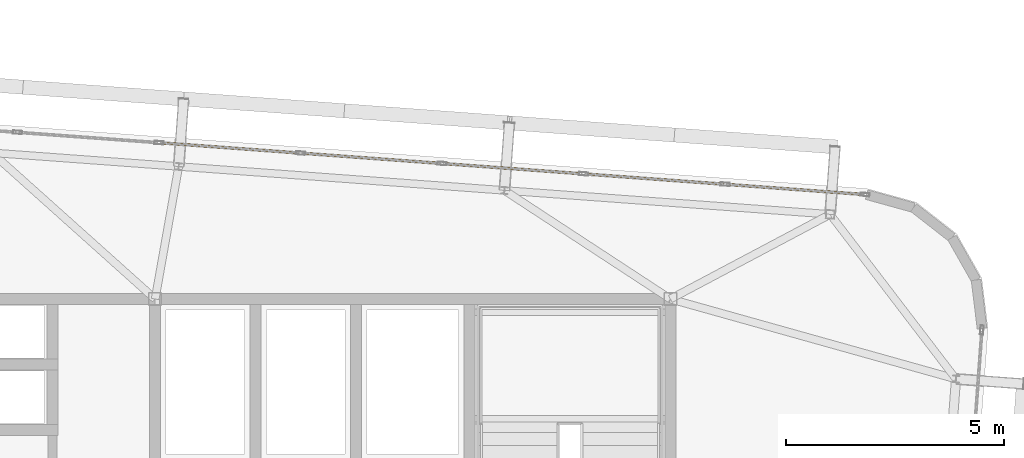
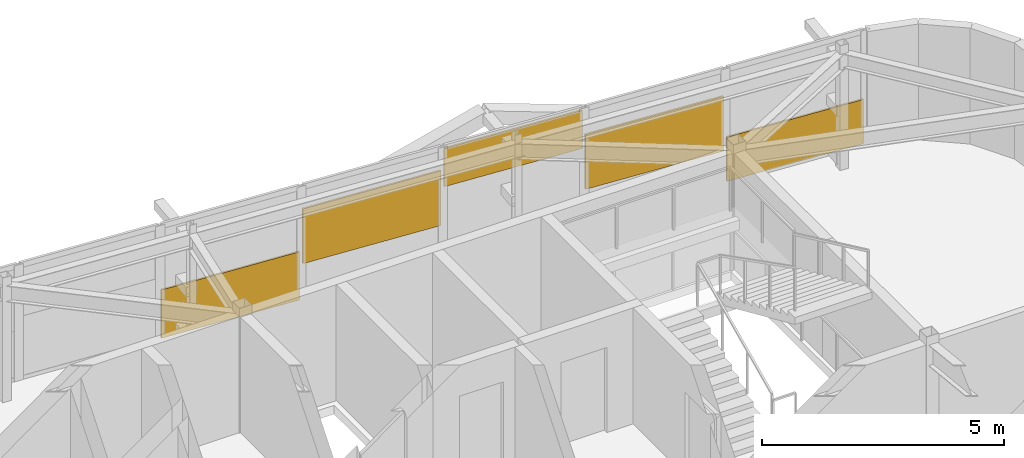
# One storey, part 42 of 42: 5 coverings.
"""IFC4 building model written with IfcOpenShell, lengths in metres."""

from ifc_helpers import new_model, si_unit, direction, frame, origin, origin_2d, place, context, subcontext, project, spatial, rectangle, extrude, source, transform, mapped, material, layer, layer_set, type_object, element, save


model = new_model("IFC4")

# Units and contexts
model_context = context("Model", 3, precision=1e-05, world=origin(), true_north=direction((0.0, 1.0)))
body_context = subcontext(model_context, "Body", "Model", "MODEL_VIEW")
ifc_project = project(units=[si_unit("LENGTHUNIT", "METRE"), si_unit("AREAUNIT", "SQUARE_METRE"), si_unit("VOLUMEUNIT", "CUBIC_METRE"), si_unit("PLANEANGLEUNIT", "RADIAN"), si_unit("MASSUNIT", "GRAM", prefix="KILO")], contexts=[model_context])

# Site, building, storey
site_placement = place(None, origin())
site = spatial("IfcSite", under=ifc_project, at=site_placement, CompositionType="ELEMENT")
building_placement = place(site_placement, origin())
building = spatial("IfcBuilding", under=site, at=building_placement, Name="Taldren Reach Tower", CompositionType="ELEMENT")
storey_placement = place(building_placement, frame((0.0, 0.0, 214.550048828125)))
storey = spatial("IfcBuildingStorey", under=building, at=storey_placement, Name="L65", CompositionType="ELEMENT", Elevation=214.550048828125)

# Coverings
ifc_material = material(Name="Pale Champagne Fluoropolymer Aluminium Spandrel Cladding", Category="aluminium")
ifc_layer = layer(ifc_material, 0.0439453125)
ifc_layer_set = layer_set([ifc_layer], Name="Pale Champagne Fluoropolymer Aluminium Spandrel Cladding")
covering_type = type_object("IfcCoveringType", Name="CV-CLAD-044", PredefinedType="CLADDING", material=ifc_layer_set)
shared_shape_1 = source(origin(), body_context, "Body", "SweptSolid", [
    extrude(rectangle(XDim=3.175048828125, YDim=0.0439453125, at=origin_2d()), origin(), (0.0, 0.0, 1.0), 1.383056640625),
])
for number, where, z_axis, x_axis, name in (
    (1, (50.632568359375, 34.746826171875, 0.85205078125), (0.0, 0.0, 1.0), (-0.997314476006, 0.073238213716, 0.0), "Diagrid closure cladding strip CW-6 panel 2.1 1"),
    (2, (44.150146484375, 35.222900390625, 0.953125), (0.0, 0.0, 1.0), (-0.997314476006, 0.073238213716, 0.0), "Diagrid closure cladding strip CW-6 panel 4.1 1"),
):
    element("IfcCovering", number, at=place(storey_placement, frame(where, z_axis=z_axis, x_axis=x_axis)), inside=storey, type_object=covering_type, Name=name, PredefinedType="CLADDING", context=body_context, shape_type="MappedRepresentation", body=[
        mapped(shared_shape_1, transform((0.0, 0.0, 0.0), scale=1.0)),
    ])
shared_shape_2 = source(origin(), body_context, "Body", "SweptSolid", [
    extrude(rectangle(XDim=3.175048828125, YDim=0.0439453125, at=origin_2d()), origin(), (0.0, 0.0, 1.0), 1.22021484375),
])
covering_1_placement = place(storey_placement, frame((40.908935546875, 35.4609375, 0.06005859375), z_axis=(0.0, 0.0, 1.0), x_axis=(-0.997314476006, 0.073238213716, 0.0)))
element("IfcCovering", 3, at=covering_1_placement, inside=storey, type_object=covering_type, Name="Diagrid closure cladding strip CW-6 panel 5.1 1", PredefinedType="CLADDING", context=body_context, shape_type="MappedRepresentation", body=[
    mapped(shared_shape_2, transform((0.0, 0.0, 0.0), scale=1.0)),
])
shared_shape_3 = source(origin(), body_context, "Body", "SweptSolid", [
    extrude(rectangle(XDim=3.175048828125, YDim=0.0439453125, at=origin_2d()), origin(), (0.0, 0.0, 1.0), 0.9619140625),
])
covering_2_placement = place(storey_placement, frame((47.391357421875, 34.98486328125, 1.907958984375), z_axis=(0.0, 0.0, 1.0), x_axis=(-0.997314476006, 0.073238213716, 0.0)))
element("IfcCovering", 4, at=covering_2_placement, inside=storey, type_object=covering_type, Name="Diagrid closure cladding strip CW-6 panel 3.1 1", PredefinedType="CLADDING", context=body_context, shape_type="MappedRepresentation", body=[
    mapped(shared_shape_3, transform((0.0, 0.0, 0.0), scale=1.0)),
])
shared_shape_4 = source(origin(), body_context, "Body", "SweptSolid", [
    extrude(rectangle(XDim=3.137451171875, YDim=0.0439453125, at=origin_2d()), origin(), (0.0, 0.0, 1.0), 1.11962890625),
])
covering_3_placement = place(storey_placement, frame((53.855224609375, 34.51025390625, 0.06005859375), z_axis=(0.0, 0.0, 1.0), x_axis=(-0.997314476006, 0.073238213716, 0.0)))
element("IfcCovering", 5, at=covering_3_placement, inside=storey, type_object=covering_type, Name="Diagrid closure cladding strip CW-6 panel 1.1 1", PredefinedType="CLADDING", context=body_context, shape_type="MappedRepresentation", body=[
    mapped(shared_shape_4, transform((0.0, 0.0, 0.0), scale=1.0)),
])

save(model, "model.ifc")
